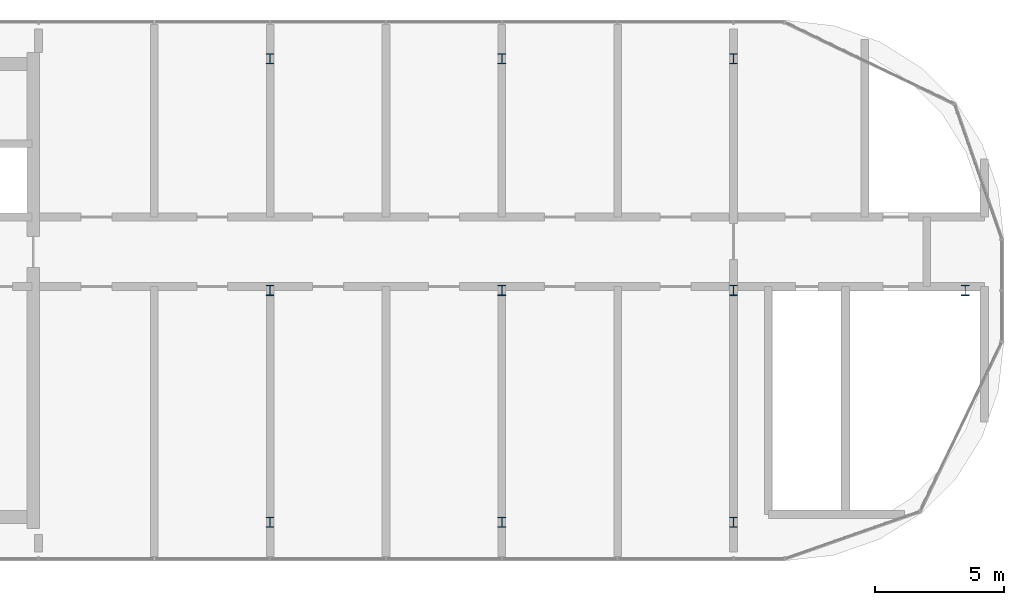
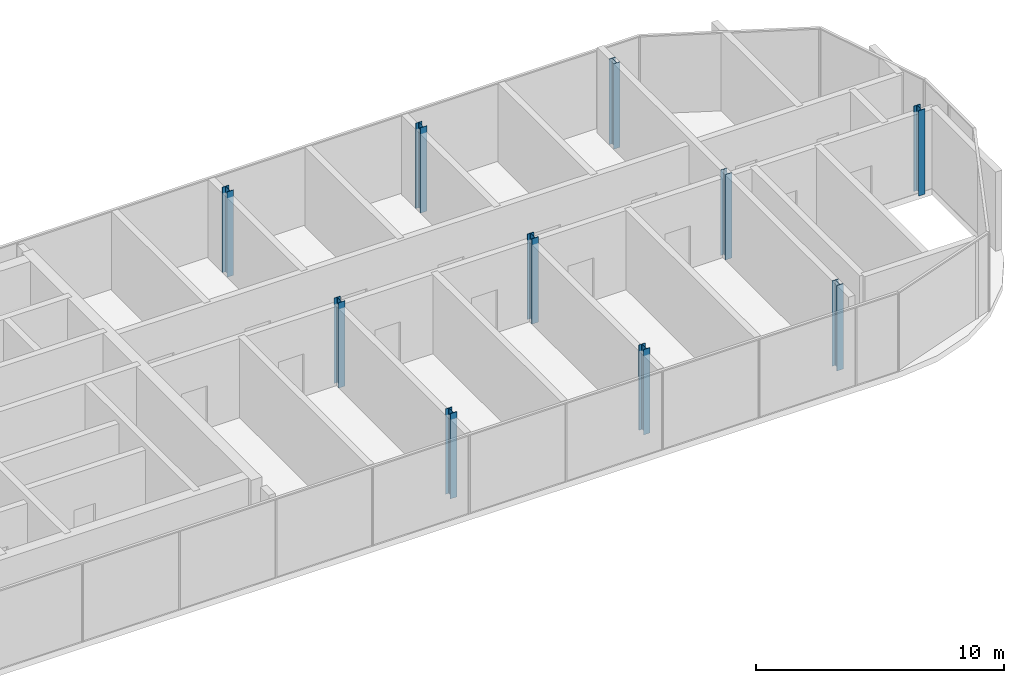
# One storey, part 1 of 14: 10 columns.
"""IFC4 building model written with IfcOpenShell, lengths in metres."""

from ifc_helpers import new_model, si_unit, direction, frame, origin, origin_2d, place, context, subcontext, project, spatial, i_section, extrude, material, material_profile, profile_set, type_object, element, save


model = new_model("IFC4")

# Units and contexts
model_context = context("Model", 3, precision=1e-05, world=origin(), true_north=direction((0.0, 1.0)))
body_context = subcontext(model_context, "Body", "Model", "MODEL_VIEW")
ifc_project = project(units=[si_unit("LENGTHUNIT", "METRE"), si_unit("AREAUNIT", "SQUARE_METRE"), si_unit("VOLUMEUNIT", "CUBIC_METRE"), si_unit("PLANEANGLEUNIT", "RADIAN"), si_unit("MASSUNIT", "GRAM", prefix="KILO")], contexts=[model_context])

# Site, building, storey
site_placement = place(None, origin())
site = spatial("IfcSite", under=ifc_project, at=site_placement, CompositionType="ELEMENT")
building_placement = place(site_placement, origin())
building = spatial("IfcBuilding", under=site, at=building_placement, Name="Ogive Portal Towers", CompositionType="ELEMENT")
storey_placement = place(building_placement, frame((0.0, 0.0, 277.10009765625)))
storey = spatial("IfcBuildingStorey", under=building, at=storey_placement, Name="L67", CompositionType="ELEMENT", Elevation=277.10009765625)

# Columns
ifc_material = material(Name="Steel S355", Category="steel")
ifc_material_profile = material_profile(ifc_material, i_section(OverallWidth=0.300048828125, OverallDepth=0.39990234375, WebThickness=0.013427734375, FlangeThickness=0.02392578125, FilletRadius=0.027099609375, at=origin_2d()), Name="HEB 400")
ifc_profile_set = profile_set([ifc_material_profile], Name="Steel S355")
column_type = type_object("IfcColumnType", Name="CROWN COLUMN HEB 400", PredefinedType="COLUMN", material=ifc_profile_set)
for number, where, z_axis, x_axis, name in (
    (1, (67.5, 21.5, 0.0), (0.0, 0.0, 1.0), (1.0, 0.0, 0.0), "Crown column L67"),
    (2, (67.5, 30.5, 0.0), (0.0, 0.0, 1.0), (1.0, 0.0, 0.0), "Crown column L67"),
    (3, (67.5, 39.5, 0.0), (0.0, 0.0, 1.0), (1.0, 0.0, 0.0), "Crown column L67"),
    (4, (76.5, 21.5, 0.0), (0.0, 0.0, 1.0), (1.0, 0.0, 0.0), "Crown column L67"),
    (5, (76.5, 30.5, 0.0), (0.0, 0.0, 1.0), (1.0, 0.0, 0.0), "Crown column L67"),
    (6, (76.5, 39.5, 0.0), (0.0, 0.0, 1.0), (1.0, 0.0, 0.0), "Crown column L67"),
    (7, (85.5, 21.5, 0.0), (0.0, 0.0, 1.0), (1.0, 0.0, 0.0), "Crown column L67"),
    (8, (85.5, 30.5, 0.0), (0.0, 0.0, 1.0), (1.0, 0.0, 0.0), "Crown column L67"),
    (9, (85.5, 39.5, 0.0), (0.0, 0.0, 1.0), (1.0, 0.0, 0.0), "Crown column L67"),
    (10, (94.5, 30.5, 0.0), (0.0, 0.0, 1.0), (1.0, 0.0, 0.0), "Crown column L67"),
):
    element("IfcColumn", number, at=place(storey_placement, frame(where, z_axis=z_axis, x_axis=x_axis)), inside=storey, type_object=column_type, Name=name, PredefinedType="COLUMN", context=body_context, shape_type="SweptSolid", body=[
        extrude(i_section(OverallWidth=0.300048828125, OverallDepth=0.39990234375, WebThickness=0.013427734375, FlangeThickness=0.02392578125, FilletRadius=0.027099609375, at=origin_2d()), origin(), (0.0, 0.0, 1.0), 4.199951171875),
    ])

save(model, "model.ifc")
